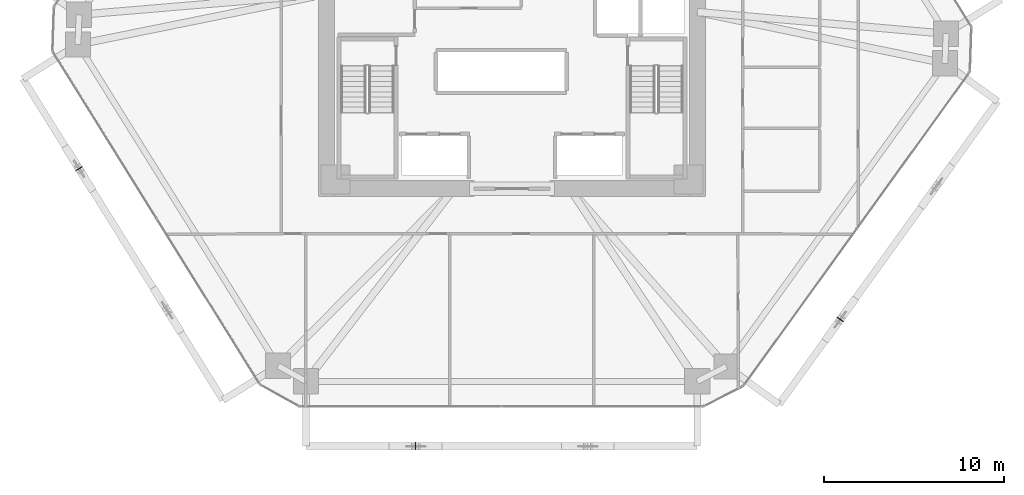
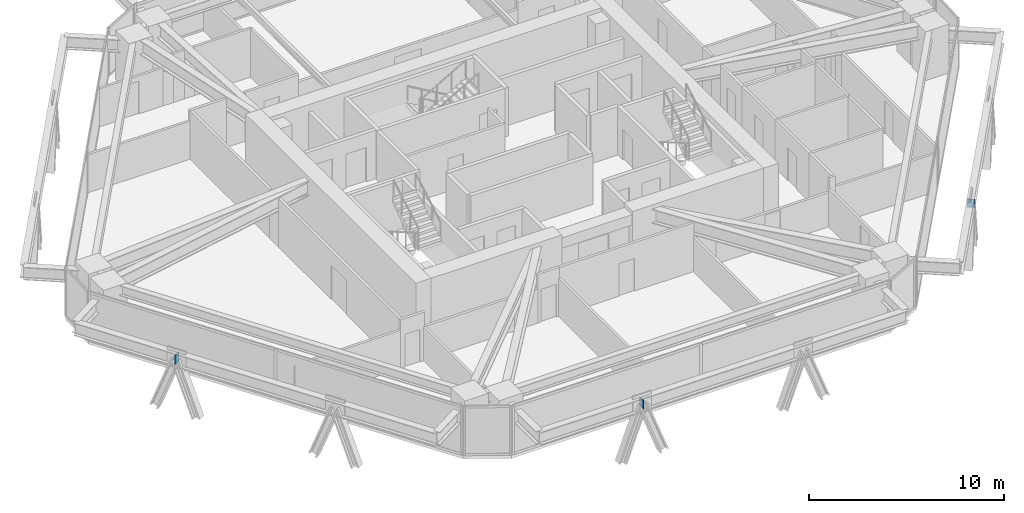
# One storey, part 11 of 17: 3 plates.
"""IFC4 building model written with IfcOpenShell, lengths in metres."""

from ifc_helpers import new_model, si_unit, direction, frame, origin, origin_2d, place, context, subcontext, project, spatial, rectangle, extrude, source, transform, mapped, material, layer, layer_set, type_object, type_shapes, element, save


model = new_model("IFC4")

# Units and contexts
model_context = context("Model", 3, precision=1e-05, world=origin(), true_north=direction((0.0, 1.0)))
body_context = subcontext(model_context, "Body", "Model", "MODEL_VIEW")
ifc_project = project(units=[si_unit("LENGTHUNIT", "METRE"), si_unit("AREAUNIT", "SQUARE_METRE"), si_unit("VOLUMEUNIT", "CUBIC_METRE"), si_unit("PLANEANGLEUNIT", "RADIAN"), si_unit("MASSUNIT", "GRAM", prefix="KILO")], contexts=[model_context])

# Site, building, storey
site_placement = place(None, origin())
site = spatial("IfcSite", under=ifc_project, at=site_placement, CompositionType="ELEMENT")
building_placement = place(site_placement, origin())
building = spatial("IfcBuilding", under=site, at=building_placement, Name="Durnholm Broadcast Tower", CompositionType="ELEMENT")
storey_placement = place(building_placement, frame((0.0, 0.0, 58.800048828125)))
storey = spatial("IfcBuildingStorey", under=building, at=storey_placement, Name="L14", CompositionType="ELEMENT", Elevation=58.800048828125)

# Plates
ifc_material = material(Name="Steel ASTM A572 Grade 50", Category="steel")
ifc_layer = layer(ifc_material, 0.044921875)
ifc_layer_set = layer_set([ifc_layer], Name="Steel ASTM A572 Grade 50")
plate_type = type_object("IfcPlateType", Name="PLT-KN-STIF", PredefinedType="SHEET", material=ifc_layer_set)
shared_shape = source(origin(), body_context, "Body", "SweptSolid", [
    extrude(rectangle(XDim=0.044921875, YDim=0.419921875, at=origin_2d()), origin(), (0.0, 0.0, 1.0), 0.52001953125),
])
type_shapes(plate_type, [shared_shape])
for number, where, z_axis, x_axis, name in (
    (1, (-5.351318359375, -22.60009765625, 2.048583984375), (0.0, 0.0, 1.0), (1.0, 0.0, 0.0), "L14 welded diagrid node stiffener plate F1"),
    (2, (18.223388671875, -15.56396484375, 2.048583984375), (0.0, 0.0, 1.0), (0.584816108738, 0.81116590101, 0.0), "L14 welded diagrid node stiffener plate F2"),
    (3, (-24.036376953125, -7.197509765625, 2.048583984375), (0.0, 0.0, 1.0), (0.528586500185, -0.848879444811, 0.0), "L14 welded diagrid node stiffener plate F6"),
):
    element("IfcPlate", number, at=place(storey_placement, frame(where, z_axis=z_axis, x_axis=x_axis)), inside=storey, type_object=plate_type, Name=name, PredefinedType="SHEET", context=body_context, shape_type="MappedRepresentation", body=[
        mapped(shared_shape, transform((0.0, 0.0, 0.0), x_axis=(1.0, 0.0, 0.0), y_axis=(0.0, 1.0, 0.0), z_axis=(0.0, 0.0, 1.0), scale=1.0)),
    ])

save(model, "model.ifc")
